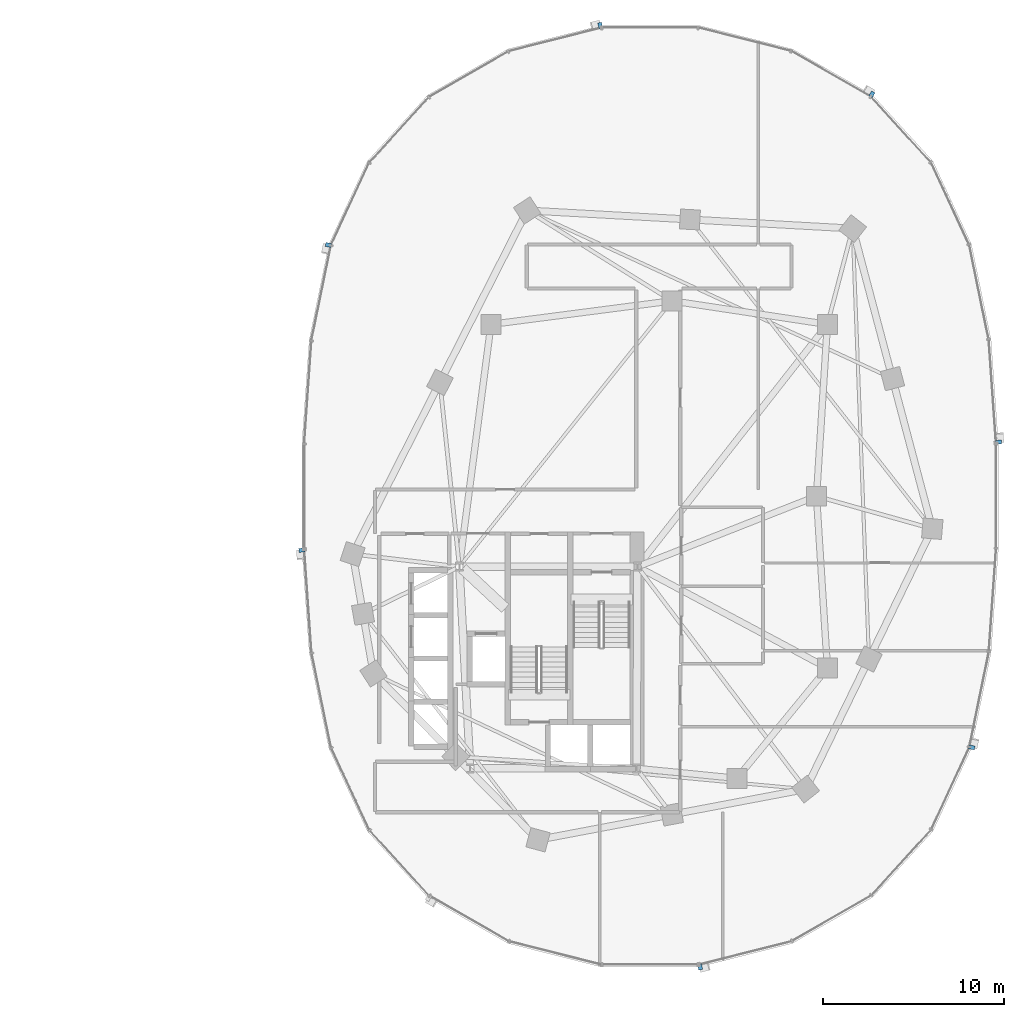
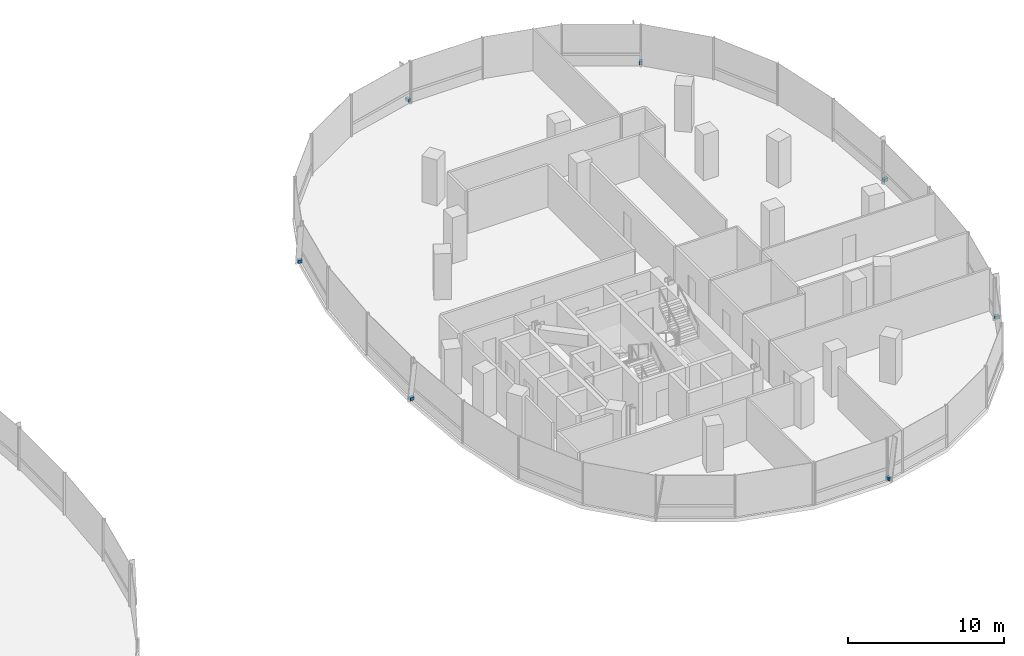
# One storey, part 16 of 21: 7 discrete accessories.
"""IFC4 building model written with IfcOpenShell, lengths in metres."""

from ifc_helpers import new_model, si_unit, direction, frame, origin, origin_2d, place, context, subcontext, project, spatial, rectangle, extrude, material, type_object, element, save


model = new_model("IFC4")

# Units and contexts
model_context = context("Model", 3, precision=1e-05, world=origin(), true_north=direction((0.0, 1.0)))
body_context = subcontext(model_context, "Body", "Model", "MODEL_VIEW")
ifc_project = project(units=[si_unit("LENGTHUNIT", "METRE"), si_unit("AREAUNIT", "SQUARE_METRE"), si_unit("VOLUMEUNIT", "CUBIC_METRE"), si_unit("PLANEANGLEUNIT", "RADIAN"), si_unit("MASSUNIT", "GRAM", prefix="KILO"), si_unit("THERMODYNAMICTEMPERATUREUNIT", "KELVIN"), si_unit("POWERUNIT", "WATT")], contexts=[model_context])

# Site, building, storey
site_placement = place(None, origin())
site = spatial("IfcSite", under=ifc_project, at=site_placement, CompositionType="ELEMENT")
building_placement = place(site_placement, origin())
building = spatial("IfcBuilding", under=site, at=building_placement, Name="Cundina Bronze Exchange", CompositionType="ELEMENT")
storey_placement = place(building_placement, frame((0.0, 0.0, 89.0)))
storey = spatial("IfcBuildingStorey", under=building, at=storey_placement, Name="L22", CompositionType="ELEMENT", Elevation=89.0)

# Discrete accessories
ifc_material = material(Name="Anodised Bronze Aluminium 6063-T6", Category="aluminium")
discrete_accessory_type = type_object("IfcDiscreteAccessoryType", Name="ACC-BRK-FIN", PredefinedType="BRACKET", material=ifc_material)
for number, where, z_axis, x_axis, name in (
    (1, (51.264404296875, 2.986083984375, 0.10009765625), (0.0, 0.0, 1.0), (-0.070278787473, 0.997527389113, 0.0), "L22 Fin Support Bracket 1"),
    (2, (44.259521484375, 22.21875, 0.10009765625), (0.0, 0.0, 1.0), (-0.867105478933, 0.498124571171, 0.0), "L22 Fin Support Bracket 5"),
    (3, (29.23974609375, 26.03173828125, 0.10009765625), (0.0, 0.0, 1.0), (-0.969488149345, -0.245138182011, 0.0), "L22 Fin Support Bracket 1"),
    (4, (14.211669921875, 13.8896484375, 0.10009765625), (0.0, 0.0, 1.0), (-0.201419845156, -0.979505000486, 0.0), "L22 Fin Support Bracket 5"),
    (5, (12.735595703125, -2.986083984375, 0.10009765625), (0.0, 0.0, 1.0), (0.070278787473, -0.997527389113, 0.0), "L22 Fin Support Bracket 1"),
    (6, (34.76025390625, -26.03173828125, 0.10009765625), (0.0, 0.0, 1.0), (0.969488149345, 0.245138182011, 0.0), "L22 Fin Support Bracket 1"),
    (7, (49.788330078125, -13.8896484375, 0.10009765625), (0.0, 0.0, 1.0), (0.201419845156, 0.979505000486, 0.0), "L22 Fin Support Bracket 5"),
):
    element("IfcDiscreteAccessory", number, at=place(storey_placement, frame(where, z_axis=z_axis, x_axis=x_axis)), inside=storey, type_object=discrete_accessory_type, Name=name, PredefinedType="BRACKET", context=body_context, shape_type="SweptSolid", body=[
        extrude(rectangle(XDim=0.219970703125, YDim=0.320068359375, at=origin_2d()), origin(), (0.0, 0.0, 1.0), 0.239990234375),
    ])

save(model, "model.ifc")
